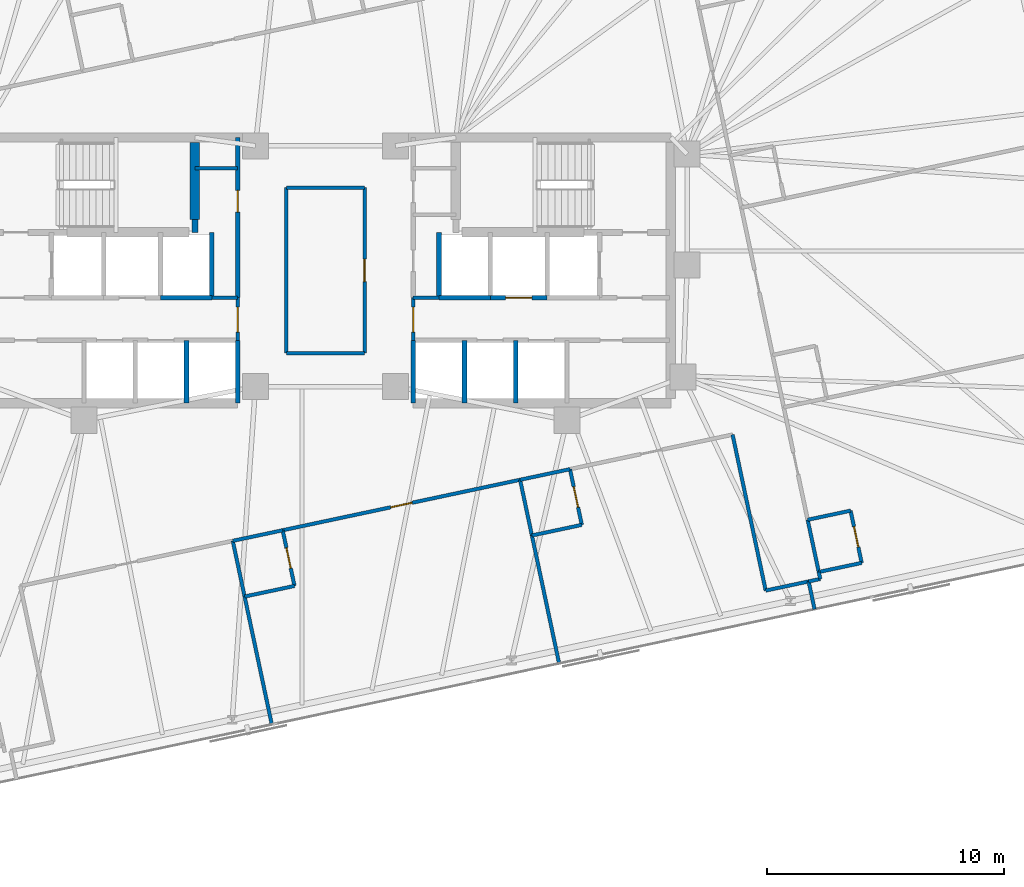
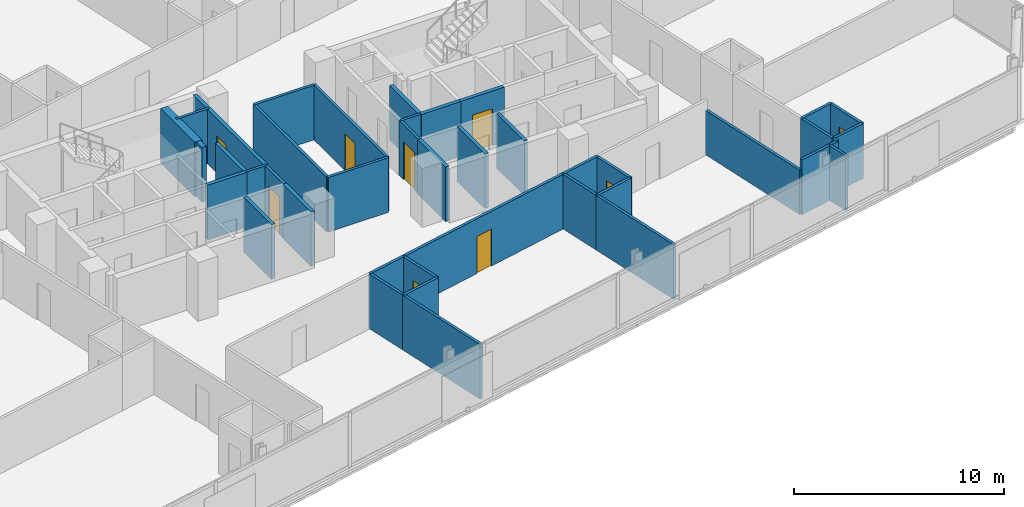
# One storey, part 15 of 19: 42 walls, 9 doors, 9 openings.
"""IFC4 building model written with IfcOpenShell, lengths in metres."""

from ifc_helpers import new_model, si_unit, direction, frame, frame_2d, origin, place, context, subcontext, project, spatial, rectangle, extrude, material, layer, layer_set, type_object, element, fill, save


model = new_model("IFC4")

# Units and contexts
model_context = context("Model", 3, precision=1e-05, world=origin(), true_north=direction((0.0, 1.0)))
body_context = subcontext(model_context, "Body", "Model", "MODEL_VIEW")
ifc_project = project(units=[si_unit("LENGTHUNIT", "METRE"), si_unit("AREAUNIT", "SQUARE_METRE"), si_unit("VOLUMEUNIT", "CUBIC_METRE"), si_unit("PLANEANGLEUNIT", "RADIAN"), si_unit("MASSUNIT", "GRAM", prefix="KILO")], contexts=[model_context])

# Site, building, storey
site_placement = place(None, origin())
site = spatial("IfcSite", under=ifc_project, at=site_placement, CompositionType="ELEMENT")
building_placement = place(site_placement, origin())
building = spatial("IfcBuilding", under=site, at=building_placement, Name="Menara Jurai Vektor", CompositionType="ELEMENT")
storey_placement = place(building_placement, frame((0.0, 0.0, 154.800048828125)))
storey = spatial("IfcBuildingStorey", under=building, at=storey_placement, Name="L39", CompositionType="ELEMENT", Elevation=154.800048828125)

# Wall
ifc_material_1 = material(Name="Concrete C40/50", Category="concrete")
ifc_layer_1 = layer(ifc_material_1, 0.25)
ifc_layer_set_1 = layer_set([ifc_layer_1], Name="Concrete C40/50")
wall_type_1 = type_object("IfcWallType", Name="INT-WALL-CORE-250", PredefinedType="STANDARD", material=ifc_layer_set_1)
wall_1_placement = place(storey_placement, frame((-5.5, 1.60009765625, 0.0), z_axis=(0.0, 0.0, 1.0), x_axis=(0.0, 1.0, 0.0)))
element("IfcWall", 1, at=wall_1_placement, inside=storey, type_object=wall_type_1, Name="Interior Wall IW-250 L39", PredefinedType="STANDARD", context=body_context, shape_type="SweptSolid", body=[
    extrude(rectangle(XDim=0.5498046875, YDim=0.25, at=frame_2d((0.27490234375, 0.0))), origin(), (0.0, 0.0, 1.0), 3.175048828125),
])

# Wall, opening, door
ifc_material_2 = material(Name="Gypsum Fireboard Partition", Category="gypsum")
ifc_layer_2 = layer(ifc_material_2, 0.14990234375)
ifc_layer_set_2 = layer_set([ifc_layer_2], Name="Gypsum Fireboard Partition")
wall_type_2 = type_object("IfcWallType", Name="INT-WALL-CORR-150", PredefinedType="PARTITIONING", material=ifc_layer_set_2)
wall_2_placement = place(storey_placement, frame((-3.699951171875, -2.949951171875, 0.0), z_axis=(0.0, 0.0, 1.0), x_axis=(0.0, 1.0, 0.0)))
wall_2 = element("IfcWall", 2, at=wall_2_placement, inside=storey, type_object=wall_type_2, Name="Interior Wall IW-150 L39", PredefinedType="PARTITIONING", context=body_context, shape_type="SweptSolid", body=[
    extrude(rectangle(XDim=1.800048828125, YDim=0.14990234375, at=frame_2d((0.89990234375, 0.0))), origin(), (0.0, 0.0, 1.0), 3.175048828125),
])
opening_1_placement = place(wall_2_placement, frame((0.35009765625, 0.0, 0.0)))
opening_1 = element("IfcOpeningElement", 3, at=opening_1_placement, cuts=wall_2, Name="Opening D-L39-LLW", PredefinedType="OPENING", context=body_context, shape_type="SweptSolid", body=[
    extrude(rectangle(XDim=1.050048828125, YDim=2.179931640625, at=frame_2d((0.52490234375, 1.08984375))), frame((0.0, 0.0849609375, 0.0), z_axis=(0.0, -1.0, 0.0), x_axis=(1.0, 0.0, 0.0)), (0.0, 0.0, 1.0), 0.169921875),
])
ifc_material_3 = material(Name="Fire-Rated Timber Door", Category="wood")
door_type_1 = type_object("IfcDoorType", Name="DR-LOBBY-1050", OperationType="NOTDEFINED", PredefinedType="DOOR", material=ifc_material_3)
door_1_placement = place(opening_1_placement, origin())
door_1 = element("IfcDoor", 4, at=door_1_placement, inside=storey, type_object=door_type_1, Name="Lift Lobby Corridor Door W L39", OperationType="SINGLE_SWING_LEFT", OverallHeight=2.179931640625, OverallWidth=1.050048828125, PredefinedType="DOOR", context=body_context, shape_type="SweptSolid", body=[
    extrude(rectangle(XDim=1.050048828125, YDim=2.179931640625, at=frame_2d((0.52490234375, 1.08984375))), frame((0.0, 0.02490234375, 0.0), z_axis=(0.0, -1.0, 0.0), x_axis=(1.0, 0.0, 0.0)), (0.0, 0.0, 1.0), 0.050048828125),
])
fill(opening_1, door_1)

# Wall
wall_3_placement = place(storey_placement, frame((-4.7900390625, -1.14990234375, 0.0), z_axis=(0.0, 0.0, 1.0), x_axis=(1.0, 0.0, 0.0)))
element("IfcWall", 5, at=wall_3_placement, inside=storey, type_object=wall_type_2, Name="Interior Wall IW-150 L39", PredefinedType="PARTITIONING", context=body_context, shape_type="SweptSolid", body=[
    extrude(rectangle(XDim=1.090087890625, YDim=0.14990234375, at=frame_2d((0.544921875, 0.0))), origin(), (0.0, 0.0, 1.0), 3.175048828125),
])

# Wall, opening, door
wall_4_placement = place(storey_placement, frame((3.699951171875, -2.949951171875, 0.0), z_axis=(0.0, 0.0, 1.0), x_axis=(0.0, 1.0, 0.0)))
wall_4 = element("IfcWall", 6, at=wall_4_placement, inside=storey, type_object=wall_type_2, Name="Interior Wall IW-150 L39", PredefinedType="PARTITIONING", context=body_context, shape_type="SweptSolid", body=[
    extrude(rectangle(XDim=1.800048828125, YDim=0.14990234375, at=frame_2d((0.89990234375, 0.0))), origin(), (0.0, 0.0, 1.0), 3.175048828125),
])
opening_2_placement = place(wall_4_placement, frame((0.35009765625, 0.0, 0.0)))
opening_2 = element("IfcOpeningElement", 7, at=opening_2_placement, cuts=wall_4, Name="Opening D-L39-LLE", PredefinedType="OPENING", context=body_context, shape_type="SweptSolid", body=[
    extrude(rectangle(XDim=1.050048828125, YDim=2.179931640625, at=frame_2d((0.52490234375, 1.08984375))), frame((0.0, 0.0849609375, 0.0), z_axis=(0.0, -1.0, 0.0), x_axis=(1.0, 0.0, 0.0)), (0.0, 0.0, 1.0), 0.169921875),
])
door_2_placement = place(opening_2_placement, frame((1.050048828125, 0.0, 0.0), z_axis=(0.0, 0.0, 1.0), x_axis=(-1.0, 0.0, 0.0)))
door_2 = element("IfcDoor", 8, at=door_2_placement, inside=storey, type_object=door_type_1, Name="Lift Lobby Corridor Door E L39", OperationType="SINGLE_SWING_RIGHT", OverallHeight=2.179931640625, OverallWidth=1.050048828125, PredefinedType="DOOR", context=body_context, shape_type="SweptSolid", body=[
    extrude(rectangle(XDim=1.050048828125, YDim=2.179931640625, at=frame_2d((0.52490234375, 1.08984375))), frame((0.0, 0.02490234375, 0.0), z_axis=(0.0, -1.0, 0.0), x_axis=(1.0, 0.0, 0.0)), (0.0, 0.0, 1.0), 0.050048828125),
])
fill(opening_2, door_2)

# Walls
wall_5_placement = place(storey_placement, frame((3.699951171875, -1.14990234375, 0.0), z_axis=(0.0, 0.0, 1.0), x_axis=(1.0, 0.0, 0.0)))
element("IfcWall", 9, at=wall_5_placement, inside=storey, type_object=wall_type_2, Name="Interior Wall IW-150 L39", PredefinedType="PARTITIONING", context=body_context, shape_type="SweptSolid", body=[
    extrude(rectangle(XDim=1.090087890625, YDim=0.14990234375, at=frame_2d((0.544921875, 0.0))), origin(), (0.0, 0.0, 1.0), 3.175048828125),
])
wall_6_placement = place(storey_placement, frame((-5.5, 4.300048828125, 0.0), z_axis=(0.0, 0.0, 1.0), x_axis=(1.0, 0.0, 0.0)))
element("IfcWall", 10, at=wall_6_placement, inside=storey, type_object=wall_type_2, Name="Interior Wall IW-150 L39", PredefinedType="PARTITIONING", context=body_context, shape_type="SweptSolid", body=[
    extrude(rectangle(XDim=1.800048828125, YDim=0.14990234375, at=frame_2d((0.89990234375, 0.0))), origin(), (0.0, 0.0, 1.0), 3.175048828125),
])
wall_7_placement = place(storey_placement, frame((-1.64990234375, -3.489501953125, 0.0), z_axis=(0.0, 0.0, 1.0), x_axis=(-3.4979712e-05, 0.999999999388, 0.0)))
element("IfcWall", 11, at=wall_7_placement, inside=storey, type_object=wall_type_2, Name="Interior Wall IW-150 L39", PredefinedType="PARTITIONING", context=body_context, shape_type="SweptSolid", body=[
    extrude(rectangle(XDim=6.9794921875, YDim=0.14990234375, at=frame_2d((3.48974609375, 0.0))), origin(), (0.0, 0.0, 1.0), 3.175048828125),
])
wall_8_placement = place(storey_placement, frame((-1.64990234375, -3.489501953125, 0.0), z_axis=(0.0, 0.0, 1.0), x_axis=(0.999999975374, -0.000221926315, 0.0)))
element("IfcWall", 12, at=wall_8_placement, inside=storey, type_object=wall_type_2, Name="Interior Wall IW-150 L39", PredefinedType="PARTITIONING", context=body_context, shape_type="SweptSolid", body=[
    extrude(rectangle(XDim=3.30029296875, YDim=0.14990234375, at=frame_2d((1.650146484375, 0.0))), origin(), (0.0, 0.0, 1.0), 3.175048828125),
])
wall_9_placement = place(storey_placement, frame((-1.650146484375, 3.489990234375, 0.0), z_axis=(0.0, 0.0, 1.0), x_axis=(1.0, 0.0, 0.0)))
element("IfcWall", 13, at=wall_9_placement, inside=storey, type_object=wall_type_2, Name="Interior Wall IW-150 L39", PredefinedType="PARTITIONING", context=body_context, shape_type="SweptSolid", body=[
    extrude(rectangle(XDim=3.300048828125, YDim=0.14990234375, at=frame_2d((1.64990234375, 0.0))), origin(), (0.0, 0.0, 1.0), 3.175048828125),
])

# Wall, opening, door
wall_10_placement = place(storey_placement, frame((1.650390625, -3.490234375, 0.0), z_axis=(0.0, 0.0, 1.0), x_axis=(-6.9952083e-05, 0.999999997553, 0.0)))
wall_10 = element("IfcWall", 14, at=wall_10_placement, inside=storey, type_object=wall_type_2, Name="Interior Wall IW-150 L39", PredefinedType="PARTITIONING", context=body_context, shape_type="SweptSolid", body=[
    extrude(rectangle(XDim=6.980224609375, YDim=0.14990234375, at=frame_2d((3.490234375, 0.0))), origin(), (0.0, 0.0, 1.0), 3.175048828125),
])
opening_3_placement = place(wall_10_placement, frame((3.01513671875, 0.0, 0.0)))
opening_3 = element("IfcOpeningElement", 15, at=opening_3_placement, cuts=wall_10, Name="Opening D39-06", PredefinedType="OPENING", context=body_context, shape_type="SweptSolid", body=[
    extrude(rectangle(XDim=0.949951171875, YDim=2.14990234375, at=frame_2d((0.47509765625, 1.074951171875))), frame((0.0, 0.0849609375, 0.0), z_axis=(0.0, -1.0, 0.0), x_axis=(1.0, 0.0, 0.0)), (0.0, 0.0, 1.0), 0.169921875),
])
ifc_material_4 = material(Name="Solid Core Timber Fire Door", Category="wood")
door_type_2 = type_object("IfcDoorType", Name="DR-ENTRY-950", OperationType="NOTDEFINED", PredefinedType="DOOR", material=ifc_material_4)
door_3_placement = place(opening_3_placement, origin())
door_3 = element("IfcDoor", 16, at=door_3_placement, inside=storey, type_object=door_type_2, Name="Interior Door D39-06", OperationType="SINGLE_SWING_LEFT", OverallHeight=2.14990234375, OverallWidth=0.949951171875, PredefinedType="DOOR", context=body_context, shape_type="SweptSolid", body=[
    extrude(rectangle(XDim=0.949951171875, YDim=2.14990234375, at=frame_2d((0.47509765625, 1.074951171875))), frame((0.0, 0.02490234375, 0.0), z_axis=(0.0, -1.0, 0.0), x_axis=(1.0, 0.0, 0.0)), (0.0, 0.0, 1.0), 0.050048828125),
])
fill(opening_3, door_3)

wall_11_placement = place(storey_placement, frame((-1.802734375, -10.95654296875, 0.0), z_axis=(0.0, 0.0, 1.0), x_axis=(0.978145386425, 0.207922108048, 0.0)))
wall_11 = element("IfcWall", 17, at=wall_11_placement, inside=storey, type_object=wall_type_2, Name="Interior Wall IW-150 L39", PredefinedType="PARTITIONING", context=body_context, shape_type="SweptSolid", body=[
    extrude(rectangle(XDim=10.23193359375, YDim=0.14990234375, at=frame_2d((5.115966796875, 0.0))), origin(), (0.0, 0.0, 1.0), 3.175048828125),
])
opening_4_placement = place(wall_11_placement, frame((4.656005859375, 0.0, 0.0)))
opening_4 = element("IfcOpeningElement", 18, at=opening_4_placement, cuts=wall_11, Name="Opening D39-15", PredefinedType="OPENING", context=body_context, shape_type="SweptSolid", body=[
    extrude(rectangle(XDim=0.919921875, YDim=2.14990234375, at=frame_2d((0.4599609375, 1.074951171875))), frame((0.0, 0.0849609375, 0.0), z_axis=(0.0, -1.0, 0.0), x_axis=(1.0, 0.0, 0.0)), (0.0, 0.0, 1.0), 0.169921875),
])
door_4_placement = place(opening_4_placement, origin())
door_4 = element("IfcDoor", 19, at=door_4_placement, inside=storey, type_object=door_type_2, Name="Interior Door D39-15", OperationType="SINGLE_SWING_RIGHT", OverallHeight=2.14990234375, OverallWidth=0.919921875, PredefinedType="DOOR", context=body_context, shape_type="SweptSolid", body=[
    extrude(rectangle(XDim=0.919921875, YDim=2.14990234375, at=frame_2d((0.4599609375, 1.074951171875))), frame((0.0, 0.02490234375, 0.0), z_axis=(0.0, -1.0, 0.0), x_axis=(1.0, 0.0, 0.0)), (0.0, 0.0, 1.0), 0.050048828125),
])
fill(opening_4, door_4)

# Walls
wall_12_placement = place(storey_placement, frame((-3.90576171875, -11.403564453125, 0.0), z_axis=(0.0, 0.0, 1.0), x_axis=(0.978146728319, 0.207915795165, 0.0)))
element("IfcWall", 20, at=wall_12_placement, inside=storey, type_object=wall_type_2, Name="Interior Wall IW-150 L39", PredefinedType="PARTITIONING", context=body_context, shape_type="SweptSolid", body=[
    extrude(rectangle(XDim=2.14990234375, YDim=0.14990234375, at=frame_2d((1.074951171875, 0.0))), origin(), (0.0, 0.0, 1.0), 3.175048828125),
])
wall_13_placement = place(storey_placement, frame((18.5595703125, -13.498291015625, 0.0), z_axis=(0.0, 0.0, 1.0), x_axis=(0.978160192495, 0.207852442415, 0.0)))
element("IfcWall", 21, at=wall_13_placement, inside=storey, type_object=wall_type_2, Name="Interior Wall IW-150 L39", PredefinedType="PARTITIONING", context=body_context, shape_type="SweptSolid", body=[
    extrude(rectangle(XDim=1.849853515625, YDim=0.14990234375, at=frame_2d((0.9248046875, 0.0))), origin(), (0.0, 0.0, 1.0), 3.175048828125),
])
wall_14_placement = place(storey_placement, frame((8.20556640625, -8.8291015625, 0.0), z_axis=(0.0, 0.0, 1.0), x_axis=(0.978146728319, 0.207915795165, 0.0)))
element("IfcWall", 22, at=wall_14_placement, inside=storey, type_object=wall_type_2, Name="Interior Wall IW-150 L39", PredefinedType="PARTITIONING", context=body_context, shape_type="SweptSolid", body=[
    extrude(rectangle(XDim=2.14990234375, YDim=0.14990234375, at=frame_2d((1.074951171875, 0.0))), origin(), (0.0, 0.0, 1.0), 3.175048828125),
])
wall_15_placement = place(storey_placement, frame((20.369140625, -13.11376953125, 0.0), z_axis=(0.0, 0.0, 1.0), x_axis=(0.978143962546, 0.207928806409, 0.0)))
element("IfcWall", 23, at=wall_15_placement, inside=storey, type_object=wall_type_2, Name="Interior Wall IW-150 L39", PredefinedType="PARTITIONING", context=body_context, shape_type="SweptSolid", body=[
    extrude(rectangle(XDim=0.500244140625, YDim=0.14990234375, at=frame_2d((0.25, 0.0))), origin(), (0.0, 0.0, 1.0), 3.175048828125),
])
wall_16_placement = place(storey_placement, frame((20.8583984375, -13.009765625, 0.0), z_axis=(0.0, 0.0, 1.0), x_axis=(-0.208306395052, 0.978063620518, 0.0)))
element("IfcWall", 24, at=wall_16_placement, inside=storey, type_object=wall_type_2, Name="Interior Wall IW-150 L39", PredefinedType="PARTITIONING", context=body_context, shape_type="SweptSolid", body=[
    extrude(rectangle(XDim=0.300048828125, YDim=0.14990234375, at=frame_2d((0.14990234375, 0.0))), origin(), (0.0, 0.0, 1.0), 3.175048828125),
])
wall_17_placement = place(storey_placement, frame((20.7958984375, -12.71630859375, 0.0), z_axis=(0.0, 0.0, 1.0), x_axis=(-0.207891197838, 0.978151956427, 0.0)))
element("IfcWall", 25, at=wall_17_placement, inside=storey, type_object=wall_type_2, Name="Interior Wall IW-150 L39", PredefinedType="PARTITIONING", context=body_context, shape_type="SweptSolid", body=[
    extrude(rectangle(XDim=2.25, YDim=0.14990234375, at=frame_2d((1.125, 0.0))), origin(), (0.0, 0.0, 1.0), 3.175048828125),
])
wall_18_placement = place(storey_placement, frame((-2.25927734375, -19.150390625, 0.0), z_axis=(0.0, 0.0, 1.0), x_axis=(-0.20791588359, 0.978146709523, 0.0)))
element("IfcWall", 26, at=wall_18_placement, inside=storey, type_object=wall_type_2, Name="Interior Wall IW-150 L39", PredefinedType="PARTITIONING", context=body_context, shape_type="SweptSolid", body=[
    extrude(rectangle(XDim=5.52001953125, YDim=0.14990234375, at=frame_2d((2.760009765625, 0.0))), origin(), (0.0, 0.0, 1.0), 3.175048828125),
])
wall_19_placement = place(storey_placement, frame((-3.406982421875, -13.7509765625, 0.0), z_axis=(0.0, 0.0, 1.0), x_axis=(-0.207840504985, 0.978162729042, 0.0)))
element("IfcWall", 27, at=wall_19_placement, inside=storey, type_object=wall_type_2, Name="Interior Wall IW-150 L39", PredefinedType="PARTITIONING", context=body_context, shape_type="SweptSolid", body=[
    extrude(rectangle(XDim=2.39990234375, YDim=0.14990234375, at=frame_2d((1.199951171875, 0.0))), origin(), (0.0, 0.0, 1.0), 3.175048828125),
])
wall_20_placement = place(storey_placement, frame((-3.406982421875, -13.7509765625, 0.0), z_axis=(0.0, 0.0, 1.0), x_axis=(0.978151636287, 0.207892704126, 0.0)))
element("IfcWall", 28, at=wall_20_placement, inside=storey, type_object=wall_type_2, Name="Interior Wall IW-150 L39", PredefinedType="PARTITIONING", context=body_context, shape_type="SweptSolid", body=[
    extrude(rectangle(XDim=2.150146484375, YDim=0.14990234375, at=frame_2d((1.0751953125, 0.0))), origin(), (0.0, 0.0, 1.0), 3.175048828125),
])

# Wall, opening, door
wall_21_placement = place(storey_placement, frame((-1.3037109375, -13.303955078125, 0.0), z_axis=(0.0, 0.0, 1.0), x_axis=(-0.207937840262, 0.978142042133, 0.0)))
wall_21 = element("IfcWall", 29, at=wall_21_placement, inside=storey, type_object=wall_type_2, Name="Interior Wall IW-150 L39", PredefinedType="PARTITIONING", context=body_context, shape_type="SweptSolid", body=[
    extrude(rectangle(XDim=2.39990234375, YDim=0.14990234375, at=frame_2d((1.199951171875, 0.0))), origin(), (0.0, 0.0, 1.0), 3.175048828125),
])
opening_5_placement = place(wall_21_placement, frame((0.760009765625, 0.0, 0.0)))
opening_5 = element("IfcOpeningElement", 30, at=opening_5_placement, cuts=wall_21, Name="Opening D39-16", PredefinedType="OPENING", context=body_context, shape_type="SweptSolid", body=[
    extrude(rectangle(XDim=0.8798828125, YDim=2.14990234375, at=frame_2d((0.43994140625, 1.074951171875))), frame((0.0, 0.0849609375, 0.0), z_axis=(0.0, -1.0, 0.0), x_axis=(1.0, 0.0, 0.0)), (0.0, 0.0, 1.0), 0.169921875),
])
ifc_material_5 = material(Name="Moisture-Resistant Timber Door", Category="wood")
door_type_3 = type_object("IfcDoorType", Name="DR-BATH-880", OperationType="NOTDEFINED", PredefinedType="DOOR", material=ifc_material_5)
door_5_placement = place(opening_5_placement, origin())
door_5 = element("IfcDoor", 31, at=door_5_placement, inside=storey, type_object=door_type_3, Name="Interior Door D39-16", OperationType="SINGLE_SWING_LEFT", OverallHeight=2.14990234375, OverallWidth=0.8798828125, PredefinedType="DOOR", context=body_context, shape_type="SweptSolid", body=[
    extrude(rectangle(XDim=0.8798828125, YDim=2.14990234375, at=frame_2d((0.43994140625, 1.074951171875))), frame((0.0, 0.02490234375, 0.0), z_axis=(0.0, -1.0, 0.0), x_axis=(1.0, 0.0, 0.0)), (0.0, 0.0, 1.0), 0.050048828125),
])
fill(opening_5, door_5)

# Walls
wall_22_placement = place(storey_placement, frame((9.852294921875, -16.575927734375, 0.0), z_axis=(0.0, 0.0, 1.0), x_axis=(-0.20792487872, 0.978144797466, 0.0)))
element("IfcWall", 32, at=wall_22_placement, inside=storey, type_object=wall_type_2, Name="Interior Wall IW-150 L39", PredefinedType="PARTITIONING", context=body_context, shape_type="SweptSolid", body=[
    extrude(rectangle(XDim=5.519775390625, YDim=0.14990234375, at=frame_2d((2.759765625, 0.0))), origin(), (0.0, 0.0, 1.0), 3.175048828125),
])
wall_23_placement = place(storey_placement, frame((8.70458984375, -11.1767578125, 0.0), z_axis=(0.0, 0.0, 1.0), x_axis=(-0.207917150959, 0.978146440129, 0.0)))
element("IfcWall", 33, at=wall_23_placement, inside=storey, type_object=wall_type_2, Name="Interior Wall IW-150 L39", PredefinedType="PARTITIONING", context=body_context, shape_type="SweptSolid", body=[
    extrude(rectangle(XDim=2.400146484375, YDim=0.14990234375, at=frame_2d((1.2001953125, 0.0))), origin(), (0.0, 0.0, 1.0), 3.175048828125),
])
wall_24_placement = place(storey_placement, frame((8.70458984375, -11.1767578125, 0.0), z_axis=(0.0, 0.0, 1.0), x_axis=(0.978123629285, 0.208024435669, 0.0)))
element("IfcWall", 34, at=wall_24_placement, inside=storey, type_object=wall_type_2, Name="Interior Wall IW-150 L39", PredefinedType="PARTITIONING", context=body_context, shape_type="SweptSolid", body=[
    extrude(rectangle(XDim=2.150146484375, YDim=0.14990234375, at=frame_2d((1.0751953125, 0.0))), origin(), (0.0, 0.0, 1.0), 3.175048828125),
])

# Wall, opening, door
wall_25_placement = place(storey_placement, frame((10.8076171875, -10.7294921875, 0.0), z_axis=(0.0, 0.0, 1.0), x_axis=(-0.207937840262, 0.978142042133, 0.0)))
wall_25 = element("IfcWall", 35, at=wall_25_placement, inside=storey, type_object=wall_type_2, Name="Interior Wall IW-150 L39", PredefinedType="PARTITIONING", context=body_context, shape_type="SweptSolid", body=[
    extrude(rectangle(XDim=2.39990234375, YDim=0.14990234375, at=frame_2d((1.199951171875, 0.0))), origin(), (0.0, 0.0, 1.0), 3.175048828125),
])
opening_6_placement = place(wall_25_placement, frame((0.760009765625, 0.0, 0.0)))
opening_6 = element("IfcOpeningElement", 36, at=opening_6_placement, cuts=wall_25, Name="Opening D39-18", PredefinedType="OPENING", context=body_context, shape_type="SweptSolid", body=[
    extrude(rectangle(XDim=0.8798828125, YDim=2.14990234375, at=frame_2d((0.43994140625, 1.074951171875))), frame((0.0, 0.0849609375, 0.0), z_axis=(0.0, -1.0, 0.0), x_axis=(1.0, 0.0, 0.0)), (0.0, 0.0, 1.0), 0.169921875),
])
door_6_placement = place(opening_6_placement, origin())
door_6 = element("IfcDoor", 37, at=door_6_placement, inside=storey, type_object=door_type_3, Name="Interior Door D39-18", OperationType="SINGLE_SWING_LEFT", OverallHeight=2.14990234375, OverallWidth=0.8798828125, PredefinedType="DOOR", context=body_context, shape_type="SweptSolid", body=[
    extrude(rectangle(XDim=0.8798828125, YDim=2.14990234375, at=frame_2d((0.43994140625, 1.074951171875))), frame((0.0, 0.02490234375, 0.0), z_axis=(0.0, -1.0, 0.0), x_axis=(1.0, 0.0, 0.0)), (0.0, 0.0, 1.0), 0.050048828125),
])
fill(opening_6, door_6)

# Walls
wall_26_placement = place(storey_placement, frame((20.61865234375, -14.28759765625, 0.0), z_axis=(0.0, 0.0, 1.0), x_axis=(-0.207917150959, 0.978146440129, 0.0)))
element("IfcWall", 38, at=wall_26_placement, inside=storey, type_object=wall_type_2, Name="Interior Wall IW-150 L39", PredefinedType="PARTITIONING", context=body_context, shape_type="SweptSolid", body=[
    extrude(rectangle(XDim=1.199951171875, YDim=0.14990234375, at=frame_2d((0.60009765625, 0.0))), origin(), (0.0, 0.0, 1.0), 3.175048828125),
])
for number, where, z_axis, x_axis, name in (
    (39, (20.7958984375, -12.71630859375, 0.0), (0.0, 0.0, 1.0), (0.978160192495, 0.207852442415, 0.0), "Interior Wall IW-150 L39"),
    (40, (20.328125, -10.515380859375, 0.0), (0.0, 0.0, 1.0), (0.978160192495, 0.207852442415, 0.0), "Interior Wall IW-150 L39"),
):
    element("IfcWall", number, at=place(storey_placement, frame(where, z_axis=z_axis, x_axis=x_axis)), inside=storey, type_object=wall_type_2, Name=name, PredefinedType="PARTITIONING", context=body_context, shape_type="SweptSolid", body=[
        extrude(rectangle(XDim=1.849853515625, YDim=0.14990234375, at=frame_2d((0.9248046875, 0.0))), origin(), (0.0, 0.0, 1.0), 3.175048828125),
    ])

# Wall, opening, door
wall_27_placement = place(storey_placement, frame((22.60546875, -12.331787109375, 0.0), z_axis=(0.0, 0.0, 1.0), x_axis=(-0.207891197838, 0.978151956427, 0.0)))
wall_27 = element("IfcWall", 41, at=wall_27_placement, inside=storey, type_object=wall_type_2, Name="Interior Wall IW-150 L39", PredefinedType="PARTITIONING", context=body_context, shape_type="SweptSolid", body=[
    extrude(rectangle(XDim=2.25, YDim=0.14990234375, at=frame_2d((1.125, 0.0))), origin(), (0.0, 0.0, 1.0), 3.175048828125),
])
opening_7_placement = place(wall_27_placement, frame((0.68505859375, 0.0, 0.0)))
opening_7 = element("IfcOpeningElement", 42, at=opening_7_placement, cuts=wall_27, Name="Opening D39-28", PredefinedType="OPENING", context=body_context, shape_type="SweptSolid", body=[
    extrude(rectangle(XDim=0.8798828125, YDim=2.14990234375, at=frame_2d((0.43994140625, 1.074951171875))), frame((0.0, 0.0849609375, 0.0), z_axis=(0.0, -1.0, 0.0), x_axis=(1.0, 0.0, 0.0)), (0.0, 0.0, 1.0), 0.169921875),
])
door_7_placement = place(opening_7_placement, origin())
door_7 = element("IfcDoor", 43, at=door_7_placement, inside=storey, type_object=door_type_3, Name="Interior Door D39-28", OperationType="SINGLE_SWING_LEFT", OverallHeight=2.14990234375, OverallWidth=0.8798828125, PredefinedType="DOOR", context=body_context, shape_type="SweptSolid", body=[
    extrude(rectangle(XDim=0.8798828125, YDim=2.14990234375, at=frame_2d((0.43994140625, 1.074951171875))), frame((0.0, 0.02490234375, 0.0), z_axis=(0.0, -1.0, 0.0), x_axis=(1.0, 0.0, 0.0)), (0.0, 0.0, 1.0), 0.050048828125),
])
fill(opening_7, door_7)

# Wall
ifc_layer_3 = layer(ifc_material_2, 0.14990234375)
ifc_layer_set_3 = layer_set([ifc_layer_3], Name="Gypsum Fireboard Partition")
wall_type_3 = type_object("IfcWallType", Name="INT-WALL-CORR-150-H2", PredefinedType="PARTITIONING", material=ifc_layer_set_3)
wall_28_placement = place(storey_placement, frame((18.5595703125, -13.498291015625, 0.0), z_axis=(0.0, 0.0, 1.0), x_axis=(-0.207888737749, 0.978152479278, 0.0)))
element("IfcWall", 44, at=wall_28_placement, inside=storey, type_object=wall_type_3, Name="Interior Wall IW-150 L39", PredefinedType="PARTITIONING", context=body_context, shape_type="SweptSolid", body=[
    extrude(rectangle(XDim=6.7197265625, YDim=0.14990234375, at=frame_2d((3.35986328125, 0.0))), origin(), (0.0, 0.0, 1.0), 2.574951171875),
])

# Wall, opening, door
ifc_layer_4 = layer(ifc_material_1, 0.199951171875)
ifc_layer_set_4 = layer_set([ifc_layer_4], Name="Concrete C40/50")
wall_type_4 = type_object("IfcWallType", Name="INT-WALL-SHAFT-200", PredefinedType="STANDARD", material=ifc_layer_set_4)
wall_29_placement = place(storey_placement, frame((-3.699951171875, -1.14990234375, 0.0), z_axis=(0.0, 0.0, 1.0), x_axis=(0.0, 1.0, 0.0)))
wall_29 = element("IfcWall", 45, at=wall_29_placement, inside=storey, type_object=wall_type_4, Name="Interior Wall IW-200 L39", PredefinedType="STANDARD", context=body_context, shape_type="SweptSolid", body=[
    extrude(rectangle(XDim=6.75, YDim=0.199951171875, at=frame_2d((3.375, 0.0))), origin(), (0.0, 0.0, 1.0), 3.175048828125),
])
opening_8_placement = place(wall_29_placement, frame((3.60009765625, 0.0, 0.0)))
opening_8 = element("IfcOpeningElement", 46, at=opening_8_placement, cuts=wall_29, Name="Opening D39-02", PredefinedType="OPENING", context=body_context, shape_type="SweptSolid", body=[
    extrude(rectangle(XDim=0.919921875, YDim=2.14990234375, at=frame_2d((0.4599609375, 1.074951171875))), frame((0.0, 0.10986328125, 0.0), z_axis=(0.0, -1.0, 0.0), x_axis=(1.0, 0.0, 0.0)), (0.0, 0.0, 1.0), 0.219970703125),
])
door_8_placement = place(opening_8_placement, origin())
door_8 = element("IfcDoor", 47, at=door_8_placement, inside=storey, type_object=door_type_2, Name="Interior Door D39-02", OperationType="SINGLE_SWING_LEFT", OverallHeight=2.14990234375, OverallWidth=0.919921875, PredefinedType="DOOR", context=body_context, shape_type="SweptSolid", body=[
    extrude(rectangle(XDim=0.919921875, YDim=2.14990234375, at=frame_2d((0.4599609375, 1.074951171875))), frame((0.0, 0.02490234375, 0.0), z_axis=(0.0, -1.0, 0.0), x_axis=(1.0, 0.0, 0.0)), (0.0, 0.0, 1.0), 0.050048828125),
])
fill(opening_8, door_8)

# Walls
wall_30_placement = place(storey_placement, frame((-3.699951171875, -5.60009765625, 0.0), z_axis=(0.0, 0.0, 1.0), x_axis=(0.0, 1.0, 0.0)))
element("IfcWall", 48, at=wall_30_placement, inside=storey, type_object=wall_type_4, Name="Interior Wall IW-200 L39", PredefinedType="STANDARD", context=body_context, shape_type="SweptSolid", body=[
    extrude(rectangle(XDim=2.650146484375, YDim=0.199951171875, at=frame_2d((1.3251953125, 0.0))), origin(), (0.0, 0.0, 1.0), 3.175048828125),
])
wall_31_placement = place(storey_placement, frame((-4.7900390625, -1.14990234375, 0.0), z_axis=(0.0, 0.0, 1.0), x_axis=(0.0, 1.0, 0.0)))
element("IfcWall", 49, at=wall_31_placement, inside=storey, type_object=wall_type_4, Name="Interior Wall IW-200 L39", PredefinedType="STANDARD", context=body_context, shape_type="SweptSolid", body=[
    extrude(rectangle(XDim=2.75, YDim=0.199951171875, at=frame_2d((1.375, 0.0))), origin(), (0.0, 0.0, 1.0), 3.175048828125),
])
wall_32_placement = place(storey_placement, frame((-6.949951171875, -1.14990234375, 0.0), z_axis=(0.0, 0.0, 1.0), x_axis=(1.0, 0.0, 0.0)))
element("IfcWall", 50, at=wall_32_placement, inside=storey, type_object=wall_type_4, Name="Interior Wall IW-200 L39", PredefinedType="STANDARD", context=body_context, shape_type="SweptSolid", body=[
    extrude(rectangle(XDim=2.159912109375, YDim=0.199951171875, at=frame_2d((1.080078125, 0.0))), origin(), (0.0, 0.0, 1.0), 3.175048828125),
])
for number, where, z_axis, x_axis, name in (
    (51, (-5.860107421875, -5.60009765625, 0.0), (0.0, 0.0, 1.0), (0.0, 1.0, 0.0), "Interior Wall IW-200 L39"),
    (52, (3.699951171875, -5.60009765625, 0.0), (0.0, 0.0, 1.0), (0.0, 1.0, 0.0), "Interior Wall IW-200 L39"),
):
    element("IfcWall", number, at=place(storey_placement, frame(where, z_axis=z_axis, x_axis=x_axis)), inside=storey, type_object=wall_type_4, Name=name, PredefinedType="STANDARD", context=body_context, shape_type="SweptSolid", body=[
        extrude(rectangle(XDim=2.650146484375, YDim=0.199951171875, at=frame_2d((1.3251953125, 0.0))), origin(), (0.0, 0.0, 1.0), 3.175048828125),
    ])

# Wall, opening, door
wall_33_placement = place(storey_placement, frame((6.949951171875, -1.14990234375, 0.0), z_axis=(0.0, 0.0, 1.0), x_axis=(1.0, 0.0, 0.0)))
wall_33 = element("IfcWall", 53, at=wall_33_placement, inside=storey, type_object=wall_type_4, Name="Interior Wall IW-200 L39", PredefinedType="STANDARD", context=body_context, shape_type="SweptSolid", body=[
    extrude(rectangle(XDim=2.400146484375, YDim=0.199951171875, at=frame_2d((1.2001953125, 0.0))), origin(), (0.0, 0.0, 1.0), 3.175048828125),
])
opening_9_placement = place(wall_33_placement, frame((0.64990234375, 0.0, 0.0)))
opening_9 = element("IfcOpeningElement", 54, at=opening_9_placement, cuts=wall_33, Name="Opening LD-L39-SVL2", PredefinedType="OPENING", context=body_context, shape_type="SweptSolid", body=[
    extrude(rectangle(XDim=1.10009765625, YDim=2.14990234375, at=frame_2d((0.550048828125, 1.074951171875))), frame((0.0, 0.10986328125, 0.0), z_axis=(0.0, -1.0, 0.0), x_axis=(1.0, 0.0, 0.0)), (0.0, 0.0, 1.0), 0.219970703125),
])
ifc_material_6 = material(Name="Anodised Stainless Sliding Lift Landing Door", Category="steel")
door_type_4 = type_object("IfcDoorType", Name="DR-LIFT-PASS-1100", OperationType="NOTDEFINED", PredefinedType="DOOR", material=ifc_material_6)
door_9_placement = place(opening_9_placement, origin())
door_9 = element("IfcDoor", 55, at=door_9_placement, inside=storey, type_object=door_type_4, Name="Lift Landing Door SVL2 L39", OperationType="SLIDING_TO_RIGHT", OverallHeight=2.14990234375, OverallWidth=1.10009765625, PredefinedType="DOOR", context=body_context, shape_type="SweptSolid", body=[
    extrude(rectangle(XDim=1.10009765625, YDim=2.14990234375, at=frame_2d((0.550048828125, 1.074951171875))), frame((0.0, 0.02490234375, 0.0), z_axis=(0.0, -1.0, 0.0), x_axis=(1.0, 0.0, 0.0)), (0.0, 0.0, 1.0), 0.050048828125),
])
fill(opening_9, door_9)

# Walls
wall_34_placement = place(storey_placement, frame((4.7900390625, -1.14990234375, 0.0), z_axis=(0.0, 0.0, 1.0), x_axis=(0.0, 1.0, 0.0)))
element("IfcWall", 56, at=wall_34_placement, inside=storey, type_object=wall_type_4, Name="Interior Wall IW-200 L39", PredefinedType="STANDARD", context=body_context, shape_type="SweptSolid", body=[
    extrude(rectangle(XDim=2.75, YDim=0.199951171875, at=frame_2d((1.375, 0.0))), origin(), (0.0, 0.0, 1.0), 3.175048828125),
])
wall_35_placement = place(storey_placement, frame((4.7900390625, -1.14990234375, 0.0), z_axis=(0.0, 0.0, 1.0), x_axis=(1.0, 0.0, 0.0)))
element("IfcWall", 57, at=wall_35_placement, inside=storey, type_object=wall_type_4, Name="Interior Wall IW-200 L39", PredefinedType="STANDARD", context=body_context, shape_type="SweptSolid", body=[
    extrude(rectangle(XDim=2.159912109375, YDim=0.199951171875, at=frame_2d((1.080078125, 0.0))), origin(), (0.0, 0.0, 1.0), 3.175048828125),
])
wall_36_placement = place(storey_placement, frame((5.860107421875, -5.60009765625, 0.0), z_axis=(0.0, 0.0, 1.0), x_axis=(0.0, 1.0, 0.0)))
element("IfcWall", 58, at=wall_36_placement, inside=storey, type_object=wall_type_4, Name="Interior Wall IW-200 L39", PredefinedType="STANDARD", context=body_context, shape_type="SweptSolid", body=[
    extrude(rectangle(XDim=2.650146484375, YDim=0.199951171875, at=frame_2d((1.3251953125, 0.0))), origin(), (0.0, 0.0, 1.0), 3.175048828125),
])
wall_37_placement = place(storey_placement, frame((8.02001953125, -5.60009765625, 0.0), z_axis=(0.0, 0.0, 1.0), x_axis=(0.0, 1.0, 0.0)))
element("IfcWall", 59, at=wall_37_placement, inside=storey, type_object=wall_type_4, Name="Interior Wall IW-200 L39", PredefinedType="STANDARD", context=body_context, shape_type="SweptSolid", body=[
    extrude(rectangle(XDim=2.650146484375, YDim=0.179931640625, at=frame_2d((1.3251953125, 0.0))), origin(), (0.0, 0.0, 1.0), 3.175048828125),
])
ifc_material_7 = material(Name="Concrete C50/60", Category="concrete")
ifc_layer_5 = layer(ifc_material_7, 0.39990234375)
ifc_layer_set_5 = layer_set([ifc_layer_5], Name="Concrete C50/60")
wall_type_5 = type_object("IfcWallType", Name="STR-WALL-CORE400", PredefinedType="SHEAR", material=ifc_layer_set_5)
wall_38_placement = place(storey_placement, frame((-5.5, 2.14990234375, 0.0), z_axis=(0.0, 0.0, 1.0), x_axis=(0.0, 1.0, 0.0)))
element("IfcWall", 60, at=wall_38_placement, inside=storey, type_object=wall_type_5, Name="Core Shear Wall CW-W-ST L39", PredefinedType="SHEAR", context=body_context, shape_type="SweptSolid", body=[
    extrude(rectangle(XDim=3.25, YDim=0.39990234375, at=frame_2d((1.625, 0.0))), origin(), (0.0, 0.0, 1.0), 3.175048828125),
])

save(model, "model.ifc")
